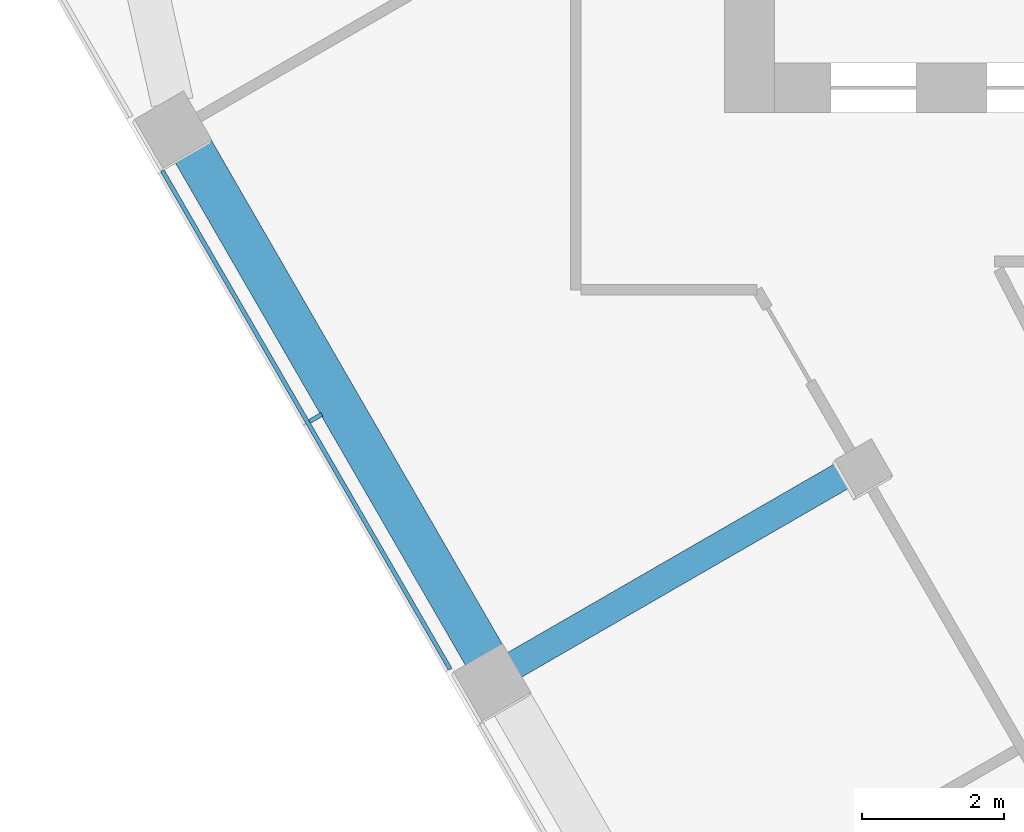
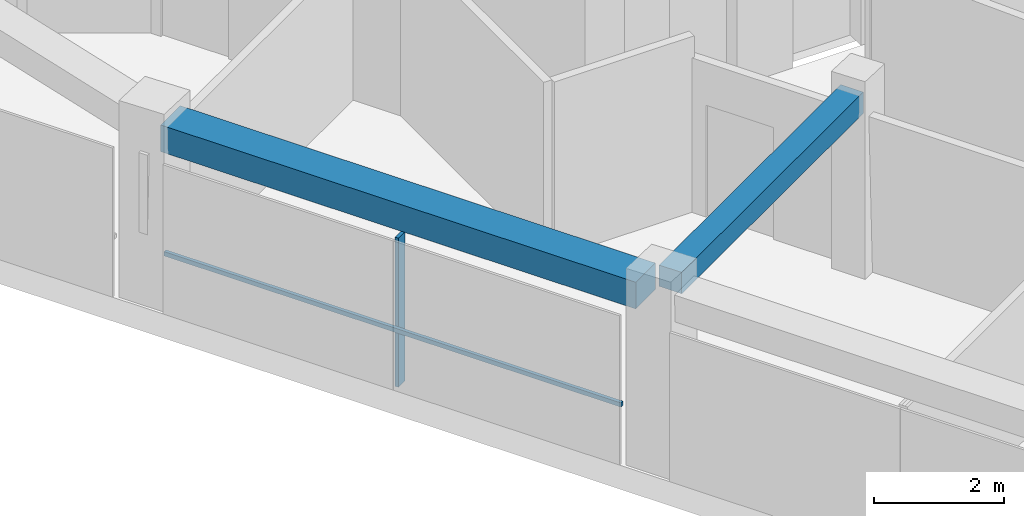
# One storey, part 3 of 13: 2 beams, 2 members, 1 element without a shape of its own.
"""IFC4 building model written with IfcOpenShell, lengths in metres."""

from ifc_helpers import new_model, si_unit, direction, frame, origin, origin_2d, place, context, subcontext, project, spatial, rectangle, extrude, material, layer, layer_set, material_profile, profile_set, type_object, element, aggregate, save


model = new_model("IFC4")

# Units and contexts
model_context = context("Model", 3, precision=1e-05, world=origin(), true_north=direction((0.0, 1.0)))
body_context = subcontext(model_context, "Body", "Model", "MODEL_VIEW")
ifc_project = project(units=[si_unit("LENGTHUNIT", "METRE"), si_unit("AREAUNIT", "SQUARE_METRE"), si_unit("VOLUMEUNIT", "CUBIC_METRE"), si_unit("PLANEANGLEUNIT", "RADIAN"), si_unit("MASSUNIT", "GRAM", prefix="KILO")], contexts=[model_context])

# Site, building, storey
site_placement = place(None, origin())
site = spatial("IfcSite", under=ifc_project, at=site_placement, CompositionType="ELEMENT")
building_placement = place(site_placement, origin())
building = spatial("IfcBuilding", under=site, at=building_placement, Name="Altiplano Prism Tower", CompositionType="ELEMENT")
storey_placement = place(building_placement, frame((0.0, 0.0, 208.800048828125)))
storey = spatial("IfcBuildingStorey", under=building, at=storey_placement, Name="L54", CompositionType="ELEMENT", Elevation=208.800048828125)

# Curtain wall, members
ifc_material_1 = material(Name="Aluminium and glass", Category="aluminium")
ifc_layer = layer(ifc_material_1, 0.303955078125)
ifc_layer_set = layer_set([ifc_layer], Name="Aluminium and glass")
curtain_wall_type = type_object("IfcCurtainWallType", Name="CW2 lounge-band unitised glazing", PredefinedType="NOTDEFINED", material=ifc_layer_set)
curtain_wall_placement = place(storey_placement, origin())
curtain_wall = element("IfcCurtainWall", 1, at=curtain_wall_placement, inside=storey, type_object=curtain_wall_type, Name="CW2 curtain wall south-west face L54", PredefinedType="NOTDEFINED")
ifc_material_2 = material(Name="Aluminium", Category="aluminium")
ifc_material_profile_1 = material_profile(ifc_material_2, rectangle(XDim=0.199951171875, YDim=0.06005859375, at=origin_2d()), Name="CW2 mullion 60 x 200")
ifc_profile_set_1 = profile_set([ifc_material_profile_1], Name="Aluminium")
member_type_1 = type_object("IfcMemberType", Name="CW2 mullion 60 x 200", PredefinedType="MULLION", material=ifc_profile_set_1)
member_1_placement = place(storey_placement, frame((66.529541015625, 88.392822265625, 0.0), z_axis=(0.0, 0.0, 1.0), x_axis=(0.866025415618, 0.499999979504, 0.0)))
member_1 = element("IfcMember", 2, at=member_1_placement, type_object=member_type_1, Name="CW2 mullion", PredefinedType="MULLION", context=body_context, shape_type="SweptSolid", body=[
    extrude(rectangle(XDim=0.199951171875, YDim=0.06005859375, at=origin_2d()), origin(), (0.0, 0.0, 1.0), 2.800048828125),
])
ifc_material_profile_2 = material_profile(ifc_material_2, rectangle(XDim=0.06005859375, YDim=0.080078125, at=origin_2d()), Name="CW2 transom 80 x 60")
ifc_profile_set_2 = profile_set([ifc_material_profile_2], Name="Aluminium")
member_type_2 = type_object("IfcMemberType", Name="CW2 transom 80 x 60", PredefinedType="USERDEFINED", material=ifc_profile_set_2)
member_2_placement = place(storey_placement, frame((64.367431640625, 91.8779296875, 1.099853515625), z_axis=(0.499990533176, -0.866030869389, 0.0), x_axis=(0.866030869389, 0.499990533176, 0.0)))
member_2 = element("IfcMember", 3, at=member_2_placement, type_object=member_type_2, Name="CW2 transom", ObjectType="TRANSOM", PredefinedType="USERDEFINED", context=body_context, shape_type="SweptSolid", body=[
    extrude(rectangle(XDim=0.06005859375, YDim=0.080078125, at=origin_2d()), origin(), (0.0, 0.0, 1.0), 8.119873046875),
])
aggregate(curtain_wall, [member_1, member_2])

# Beams
ifc_material_3 = material(Name="Concrete C60/75", Category="concrete")
ifc_material_profile_3 = material_profile(ifc_material_3, rectangle(XDim=0.60009765625, YDim=0.5, at=origin_2d()), Name="Edge beam 600x500")
ifc_profile_set_3 = profile_set([ifc_material_profile_3], Name="Concrete C60/75")
beam_type_1 = type_object("IfcBeamType", Name="Edge beam 600x500", PredefinedType="SPANDREL", material=ifc_profile_set_3)
beam_1_placement = place(storey_placement, frame((64.712646484375, 92.30908203125, 3.050048828125), z_axis=(0.499993714791, -0.866029032521, 0.0), x_axis=(0.866029032521, 0.499993714791, 0.0)))
element("IfcBeam", 4, at=beam_1_placement, inside=storey, type_object=beam_type_1, Name="Edge beam P11-P12 L55", PredefinedType="SPANDREL", context=body_context, shape_type="SweptSolid", body=[
    extrude(rectangle(XDim=0.60009765625, YDim=0.5, at=origin_2d()), origin(), (0.0, 0.0, 1.0), 8.43994140625),
])
ifc_material_profile_4 = material_profile(ifc_material_3, rectangle(XDim=0.39990234375, YDim=0.39990234375, at=origin_2d()), Name="Tie beam 400x400")
ifc_profile_set_4 = profile_set([ifc_material_profile_4], Name="Concrete C60/75")
beam_type_2 = type_object("IfcBeamType", Name="Tie beam 400x400", PredefinedType="BEAM", material=ifc_profile_set_4)
beam_2_placement = place(storey_placement, frame((74.15625, 87.692138671875, 3.099853515625), z_axis=(-0.866030670444, -0.499990877767, 0.0), x_axis=(0.499990877767, -0.866030670444, 0.0)))
element("IfcBeam", 5, at=beam_2_placement, inside=storey, type_object=beam_type_2, Name="Tie beam I12 L55", PredefinedType="BEAM", context=body_context, shape_type="SweptSolid", body=[
    extrude(rectangle(XDim=0.39990234375, YDim=0.39990234375, at=origin_2d()), origin(), (0.0, 0.0, 1.0), 5.58984375),
])

save(model, "model.ifc")
